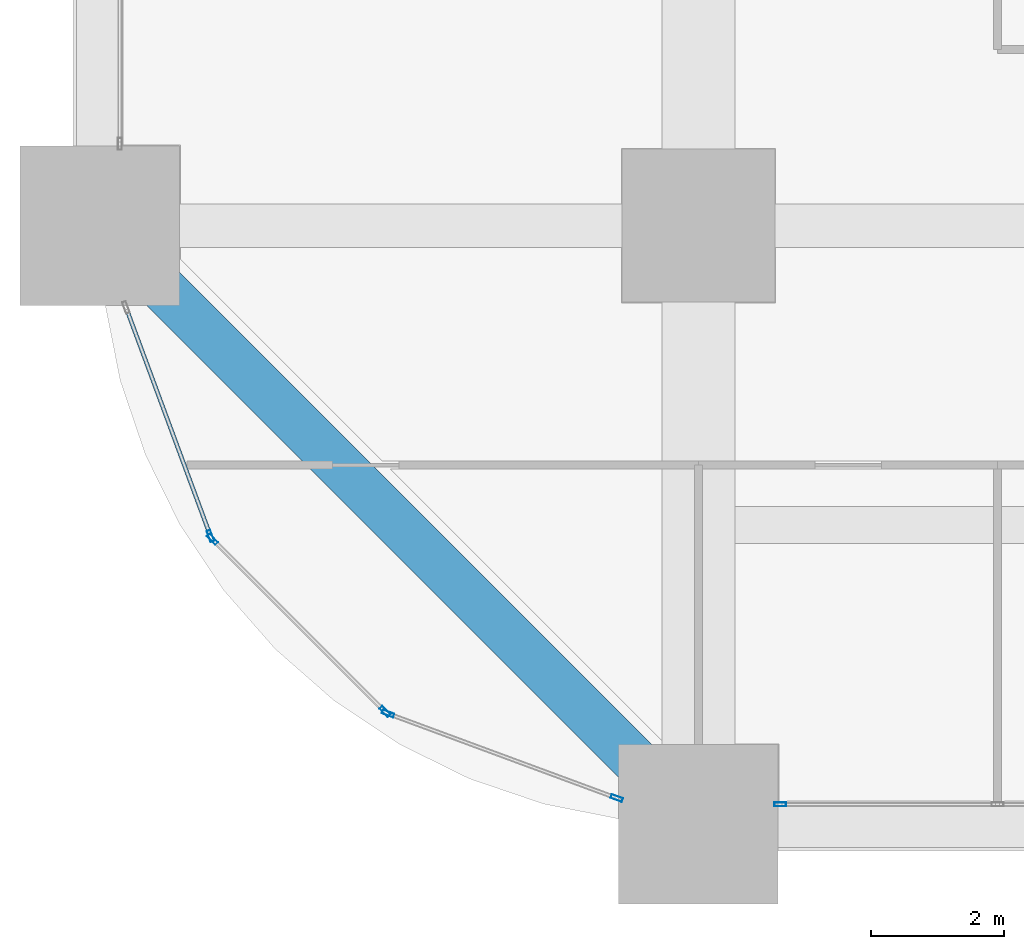
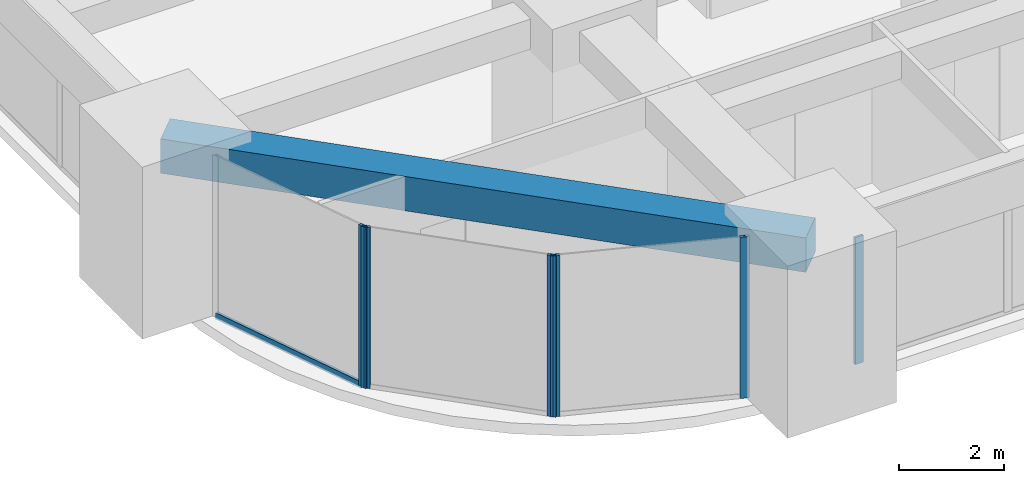
# One storey, part 2 of 45: 7 members, 1 beam, 4 elements without a shape of their own.
"""IFC4 building model written with IfcOpenShell, lengths in metres."""

import ifcopenshell
import ifcopenshell.guid

model = None  # the IFC model being written
_history = None  # IfcOwnerHistory: only IFC2X3 demands one
_inside = {}  # id of a spatial element -> (the spatial element, [elements in it])
_under = {}  # id of a project, library or spatial element -> (it, [spatial elements below it])
_declared = {}  # id of a project -> (the project, [libraries it declares])
_typed = {}  # id of a type object -> (the type object, [elements of that type])
_made_of = {}  # id of a material, layer set ... -> (it, [elements and type objects made of it])


def new_model(schema):
    """Start an empty IFC model of exactly this schema.

    Asked for "IFC4X3", IfcOpenShell would pick the latest addendum, in which some entities
    have other attributes; the version numbers below select the first issue.
    IFC2X3 requires an IfcOwnerHistory on every rooted entity: one is made here for all.
    """
    global model, _history
    if schema == "IFC4X3":
        model = ifcopenshell.file(schema_version=(4, 3, 0, 0))
    else:
        model = ifcopenshell.file(schema=schema)
    _inside.clear()
    _under.clear()
    _declared.clear()
    _typed.clear()
    _made_of.clear()
    _history = None
    if model.schema == "IFC2X3":
        org = make("IfcOrganization", Name="unknown")
        user = make(
            "IfcPersonAndOrganization",
            ThePerson=make("IfcPerson", FamilyName="unknown"),
            TheOrganization=org,
        )
        app = make(
            "IfcApplication",
            ApplicationDeveloper=org,
            Version="unknown",
            ApplicationFullName="unknown",
            ApplicationIdentifier="unknown",
        )
        _history = make(
            "IfcOwnerHistory",
            OwningUser=user,
            OwningApplication=app,
            ChangeAction="ADDED",
            CreationDate=0,
        )
    return model


def make(cls, **values):
    """One entity of the class cls with the attributes given. An attribute that is None is left unset."""
    return model.create_entity(
        cls, **{name: value for name, value in values.items() if value is not None}
    )


def rooted(cls, **values):
    """An entity with a GlobalId (a new one), such as an element, a storey or a relation."""
    return make(cls, GlobalId=ifcopenshell.guid.new(), OwnerHistory=_history, **values)


def si_unit(unit_type, name, prefix=None):
    """IfcSIUnit, for example si_unit("LENGTHUNIT", "METRE", prefix="MILLI")."""
    return make("IfcSIUnit", UnitType=unit_type, Prefix=prefix, Name=name)


def assignment(units):
    """IfcUnitAssignment: the units of a project."""
    return None if units is None else make("IfcUnitAssignment", Units=units)


def point(xyz):
    """IfcCartesianPoint."""
    return None if xyz is None else make("IfcCartesianPoint", Coordinates=xyz)


def direction(xyz):
    """IfcDirection."""
    return None if xyz is None else make("IfcDirection", DirectionRatios=xyz)


def frame(location, z_axis=None, x_axis=None):
    """IfcAxis2Placement3D, a coordinate frame: its origin and axes. An axis left out is left unset."""
    return make(
        "IfcAxis2Placement3D",
        Location=point(location),
        Axis=direction(z_axis),
        RefDirection=direction(x_axis),
    )


def frame_2d(location, x_axis=None):
    """IfcAxis2Placement2D, a coordinate frame in the plane: its origin and x axis."""
    return make(
        "IfcAxis2Placement2D", Location=point(location), RefDirection=direction(x_axis)
    )


def origin():
    """The frame at (0, 0, 0) with its axes left unset."""
    return frame((0.0, 0.0, 0.0))


def origin_2d():
    """The frame at (0, 0) in the plane with its x axis left unset."""
    return frame_2d((0.0, 0.0))


def place(relative_to, where):
    """IfcLocalPlacement: puts the frame where relative to a parent placement (None: the world)."""
    return make(
        "IfcLocalPlacement", PlacementRelTo=relative_to, RelativePlacement=where
    )


def context(
    kind, dimensions, precision=None, world=None, true_north=None, identifier=None
):
    """IfcGeometricRepresentationContext, for example the 3D "Model" context."""
    return make(
        "IfcGeometricRepresentationContext",
        ContextIdentifier=identifier,
        ContextType=kind,
        CoordinateSpaceDimension=dimensions,
        Precision=precision,
        WorldCoordinateSystem=world,
        TrueNorth=true_north,
    )


def subcontext(parent, identifier, kind, view, scale=None):
    """IfcGeometricRepresentationSubContext, for example "Body" below "Model"."""
    return make(
        "IfcGeometricRepresentationSubContext",
        ContextIdentifier=identifier,
        ContextType=kind,
        ParentContext=parent,
        TargetScale=scale,
        TargetView=view,
    )


def project(units=None, contexts=None):
    """IfcProject with its units and contexts."""
    return rooted(
        "IfcProject",
        Name="project",
        RepresentationContexts=contexts,
        UnitsInContext=assignment(units),
    )


def spatial(cls, under=None, at=None, **own):
    """A site, building, storey or space (cls), placed at a placement, below another one or the project."""
    s = rooted(cls, ObjectPlacement=at, **own)
    if under is not None:
        _under.setdefault(under.id(), (under, []))[1].append(s)
    return s


def profile(cls, at=None, kind="AREA", **sizes):
    """A parametric profile (cls). Its sizes go by their IFC names, for example OverallWidth=200.0."""
    return make(cls, ProfileType=kind, Position=at, **sizes)


def rectangle(**sizes):
    """IfcRectangleProfileDef."""
    return profile("IfcRectangleProfileDef", **sizes)


def hollow_rectangle(**sizes):
    """IfcRectangleHollowProfileDef."""
    return profile("IfcRectangleHollowProfileDef", **sizes)


def extrude(swept, where, along, depth):
    """IfcExtrudedAreaSolid: the profile swept, set in the frame where, extruded along a direction by depth."""
    return make(
        "IfcExtrudedAreaSolid",
        SweptArea=swept,
        Position=where,
        ExtrudedDirection=direction(along),
        Depth=depth,
    )


def shape(context_of_items, identifier, shape_type, items):
    """IfcShapeRepresentation: the items that make up one representation, for example the "Body"."""
    return make(
        "IfcShapeRepresentation",
        ContextOfItems=context_of_items,
        RepresentationIdentifier=identifier,
        RepresentationType=shape_type,
        Items=items,
    )


def material(Name=None, Category=None):
    """IfcMaterial."""
    return make("IfcMaterial", Name=Name, Category=Category)


def material_profile(
    of_material, cross_section, Name=None, Category=None, Priority=None
):
    """IfcMaterialProfile: a cross section and its material."""
    return make(
        "IfcMaterialProfile",
        Name=Name,
        Material=of_material,
        Profile=cross_section,
        Priority=Priority,
        Category=Category,
    )


def profile_set(profiles, Name=None, composite=None):
    """IfcMaterialProfileSet."""
    return make(
        "IfcMaterialProfileSet",
        Name=Name,
        MaterialProfiles=profiles,
        CompositeProfile=composite,
    )


def made_of(thing, what):
    """Note that an element or type object is made of a material, layer set ...; save() writes the relation."""
    if what is not None:
        _made_of.setdefault(what.id(), (what, []))[1].append(thing)
    return thing


def type_object(cls, material=None, **own):
    """A type object (cls), such as IfcWallType, which elements share."""
    return made_of(rooted(cls, **own), material)


def element(
    cls,
    number,
    at=None,
    inside=None,
    cuts=None,
    type_object=None,
    material=None,
    context=None,
    identifier="Body",
    shape_type=None,
    held_by="IfcProductDefinitionShape",
    body=None,
    shapes=None,
    **own,
):
    """One element of the class cls, such as IfcWall. Its Tag is "e" and its number.

    at: its placement. inside: the storey or other place that contains it. cuts: it is an
    opening in that element (IfcRelVoidsElement). A single representation is given by context,
    identifier, shape_type and body (its items); several are given by shapes. held_by: the class
    of the entity that holds the representations. save() writes the other relations.
    """
    e = rooted(cls, Tag="e%d" % number, ObjectPlacement=at, **own)
    if body is not None:
        shapes = [shape(context, identifier, shape_type, body)]
    if shapes is not None:
        e.Representation = make(held_by, Representations=shapes)
    if inside is not None:
        _inside.setdefault(inside.id(), (inside, []))[1].append(e)
    if cuts is not None:
        rooted(
            "IfcRelVoidsElement", RelatingBuildingElement=cuts, RelatedOpeningElement=e
        )
    if type_object is not None:
        _typed.setdefault(type_object.id(), (type_object, []))[1].append(e)
    return made_of(e, material)


def aggregate(whole, parts):
    """IfcRelAggregates: a whole, such as a stair, and the parts it consists of."""
    return rooted("IfcRelAggregates", RelatingObject=whole, RelatedObjects=parts)


def save(model, path):
    """Write the relations noted so far, then the file.

    IfcRelAggregates (storeys below a building ...), IfcRelContainedInSpatialStructure (elements
    in a storey), IfcRelDefinesByType, IfcRelAssociatesMaterial and IfcRelDeclares: one each for
    every whole, place, type object, material and project.
    """
    for whole, parts in _under.values():
        aggregate(whole, parts)
    for where, things in _inside.values():
        rooted(
            "IfcRelContainedInSpatialStructure",
            RelatedElements=things,
            RelatingStructure=where,
        )
    for kind, things in _typed.values():
        rooted("IfcRelDefinesByType", RelatedObjects=things, RelatingType=kind)
    for what, things in _made_of.values():
        rooted("IfcRelAssociatesMaterial", RelatedObjects=things, RelatingMaterial=what)
    for by, libraries in _declared.values():
        rooted("IfcRelDeclares", RelatingContext=by, RelatedDefinitions=libraries)
    model.write(path)


model = new_model("IFC4")

# Units and contexts
model_context = context("Model", 3, precision=1e-05, world=origin(), true_north=direction((0.0, 1.0)))
body_context = subcontext(model_context, "Body", "Model", "MODEL_VIEW")
ifc_project = project(units=[si_unit("LENGTHUNIT", "METRE"), si_unit("AREAUNIT", "SQUARE_METRE"), si_unit("VOLUMEUNIT", "CUBIC_METRE"), si_unit("PLANEANGLEUNIT", "RADIAN"), si_unit("MASSUNIT", "GRAM", prefix="KILO")], contexts=[model_context])

# Site, building, storey
site_placement = place(None, origin())
site = spatial("IfcSite", under=ifc_project, at=site_placement, CompositionType="ELEMENT")
building_placement = place(site_placement, origin())
building = spatial("IfcBuilding", under=site, at=building_placement, Name="Zorevar Civic Tower", CompositionType="ELEMENT")
storey_placement = place(building_placement, frame((0.0, 0.0, 23.800048828125)))
storey = spatial("IfcBuildingStorey", under=building, at=storey_placement, Name="L05", CompositionType="ELEMENT", Elevation=23.800048828125)

# Curtain wall, member
ifc_material_1 = material(Name="Dark grey solar-control glass in black aluminium frame", Category="aluminium")
curtain_wall_type = type_object("IfcCurtainWallType", Name="Curtain wall CW2 low zone", PredefinedType="NOTDEFINED", material=ifc_material_1)
curtain_wall_1_placement = place(storey_placement, origin())
curtain_wall_1 = element("IfcCurtainWall", 1, at=curtain_wall_1_placement, inside=storey, type_object=curtain_wall_type, Name="CW2 L05", PredefinedType="NOTDEFINED")
ifc_material_2 = material(Name="Aluminium, black anodised", Category="aluminium")
ifc_material_profile_1 = material_profile(ifc_material_2, hollow_rectangle(XDim=0.06005859375, YDim=0.179931640625, WallThickness=0.00390625, at=origin_2d()), Name="AL 180x60x4")
ifc_profile_set_1 = profile_set([ifc_material_profile_1], Name="Aluminium, black anodised")
member_type_1 = type_object("IfcMemberType", Name="CW2 mullion AL 180x60x4", PredefinedType="MULLION", material=ifc_profile_set_1)
member_1_placement = place(storey_placement, frame((10.22998046875, 0.300048828125, 0.0), z_axis=(0.0, 0.0, 1.0), x_axis=(0.0, 1.0, 0.0)))
member_1 = element("IfcMember", 2, at=member_1_placement, type_object=member_type_1, Name="CW2 mullion 1", PredefinedType="MULLION", context=body_context, shape_type="SweptSolid", body=[
    extrude(hollow_rectangle(XDim=0.06005859375, YDim=0.179931640625, WallThickness=0.00390625, at=origin_2d()), origin(), (0.0, 0.0, 1.0), 2.949951171875),
])
aggregate(curtain_wall_1, [member_1])

curtain_wall_2_placement = place(storey_placement, origin())
curtain_wall_2 = element("IfcCurtainWall", 3, at=curtain_wall_2_placement, inside=storey, type_object=curtain_wall_type, Name="CW2 L05", PredefinedType="NOTDEFINED")
member_2_placement = place(storey_placement, frame((1.663818359375, 4.33544921875, 0.0), z_axis=(0.0, 0.0, 1.0), x_axis=(0.937974588163, 0.346704012033, 0.0)))
member_2 = element("IfcMember", 4, at=member_2_placement, type_object=member_type_1, Name="CW2 mullion 2", PredefinedType="MULLION", context=body_context, shape_type="SweptSolid", body=[
    extrude(hollow_rectangle(XDim=0.06005859375, YDim=0.179931640625, WallThickness=0.00390625, at=origin_2d()), origin(), (0.0, 0.0, 1.0), 3.75),
])

# Curtain wall, members
curtain_wall_3_placement = place(storey_placement, origin())
curtain_wall_3 = element("IfcCurtainWall", 5, at=curtain_wall_3_placement, inside=storey, type_object=curtain_wall_type, Name="CW2 L05", PredefinedType="NOTDEFINED")
member_3_placement = place(storey_placement, frame((1.6953125, 4.2861328125, 0.0), z_axis=(0.0, 0.0, 1.0), x_axis=(0.707106781187, 0.707106781187, 0.0)))
member_3 = element("IfcMember", 6, at=member_3_placement, type_object=member_type_1, Name="CW2 mullion 1", PredefinedType="MULLION", context=body_context, shape_type="SweptSolid", body=[
    extrude(hollow_rectangle(XDim=0.06005859375, YDim=0.179931640625, WallThickness=0.00390625, at=origin_2d()), origin(), (0.0, 0.0, 1.0), 3.75),
])
member_4_placement = place(storey_placement, frame((4.2861328125, 1.6953125, 0.0), z_axis=(0.0, 0.0, 1.0), x_axis=(0.707106781187, 0.707106781187, 0.0)))
member_4 = element("IfcMember", 7, at=member_4_placement, type_object=member_type_1, Name="CW2 mullion 2", PredefinedType="MULLION", context=body_context, shape_type="SweptSolid", body=[
    extrude(hollow_rectangle(XDim=0.06005859375, YDim=0.179931640625, WallThickness=0.00390625, at=origin_2d()), origin(), (0.0, 0.0, 1.0), 3.75),
])
aggregate(curtain_wall_3, [member_3, member_4])

curtain_wall_4_placement = place(storey_placement, origin())
curtain_wall_4 = element("IfcCurtainWall", 8, at=curtain_wall_4_placement, inside=storey, type_object=curtain_wall_type, Name="CW2 L05", PredefinedType="NOTDEFINED")
member_5_placement = place(storey_placement, frame((4.33544921875, 1.663818359375, 0.0), z_axis=(0.0, 0.0, 1.0), x_axis=(0.346704012033, 0.937974588163, 0.0)))
member_5 = element("IfcMember", 9, at=member_5_placement, type_object=member_type_1, Name="CW2 mullion 1", PredefinedType="MULLION", context=body_context, shape_type="SweptSolid", body=[
    extrude(hollow_rectangle(XDim=0.06005859375, YDim=0.179931640625, WallThickness=0.00390625, at=origin_2d()), origin(), (0.0, 0.0, 1.0), 3.75),
])
member_6_placement = place(storey_placement, frame((7.77197265625, 0.3935546875, 0.0), z_axis=(0.0, 0.0, 1.0), x_axis=(0.346704012033, 0.937974588163, 0.0)))
member_6 = element("IfcMember", 10, at=member_6_placement, type_object=member_type_1, Name="CW2 mullion 2", PredefinedType="MULLION", context=body_context, shape_type="SweptSolid", body=[
    extrude(hollow_rectangle(XDim=0.06005859375, YDim=0.179931640625, WallThickness=0.00390625, at=origin_2d()), origin(), (0.0, 0.0, 1.0), 3.75),
])
aggregate(curtain_wall_4, [member_5, member_6])

# Member
ifc_material_3 = material(Name="Aluminium, black anodised", Category="aluminium")
ifc_material_profile_2 = material_profile(ifc_material_3, hollow_rectangle(XDim=0.06005859375, YDim=0.14990234375, WallThickness=0.00390625, at=origin_2d()), Name="AL 150x60x4")
ifc_profile_set_2 = profile_set([ifc_material_profile_2], Name="Aluminium, black anodised")
member_type_2 = type_object("IfcMemberType", Name="CW2 transom AL 150x60x4", PredefinedType="USERDEFINED", material=ifc_profile_set_2)
member_7_placement = place(storey_placement, frame((0.404052734375, 7.74365234375, 0.030029296875), z_axis=(0.346672169799, -0.93798635741, 0.0), x_axis=(0.93798635741, 0.346672169799, 0.0)))
member_7 = element("IfcMember", 11, at=member_7_placement, type_object=member_type_2, Name="CW2 sill transom", ObjectType="TRANSOM", PredefinedType="USERDEFINED", context=body_context, shape_type="SweptSolid", body=[
    extrude(hollow_rectangle(XDim=0.06005859375, YDim=0.14990234375, WallThickness=0.00390625, at=origin_2d()), origin(), (0.0, 0.0, 1.0), 3.603515625),
])

aggregate(curtain_wall_2, [member_2, member_7])

# Beam
ifc_material_4 = material(Name="Concrete C50/60", Category="concrete")
ifc_material_profile_3 = material_profile(ifc_material_4, rectangle(XDim=0.699951171875, YDim=0.800048828125, at=origin_2d()), Name="RC 700x800")
ifc_profile_set_3 = profile_set([ifc_material_profile_3], Name="Concrete C50/60")
beam_type = type_object("IfcBeamType", Name="Edge beam RC 700x800", PredefinedType="SPANDREL", material=ifc_profile_set_3)
beam_placement = place(storey_placement, frame((0.0, 9.0, 3.349853515625), z_axis=(0.707106781187, -0.707106781187, 0.0), x_axis=(0.707106781187, 0.707106781187, 0.0)))
element("IfcBeam", 12, at=beam_placement, inside=storey, type_object=beam_type, Name="Corner edge beam L06", PredefinedType="SPANDREL", context=body_context, shape_type="SweptSolid", body=[
    extrude(rectangle(XDim=0.699951171875, YDim=0.800048828125, at=origin_2d()), origin(), (0.0, 0.0, 1.0), 12.72802734375),
])

save(model, "model.ifc")
